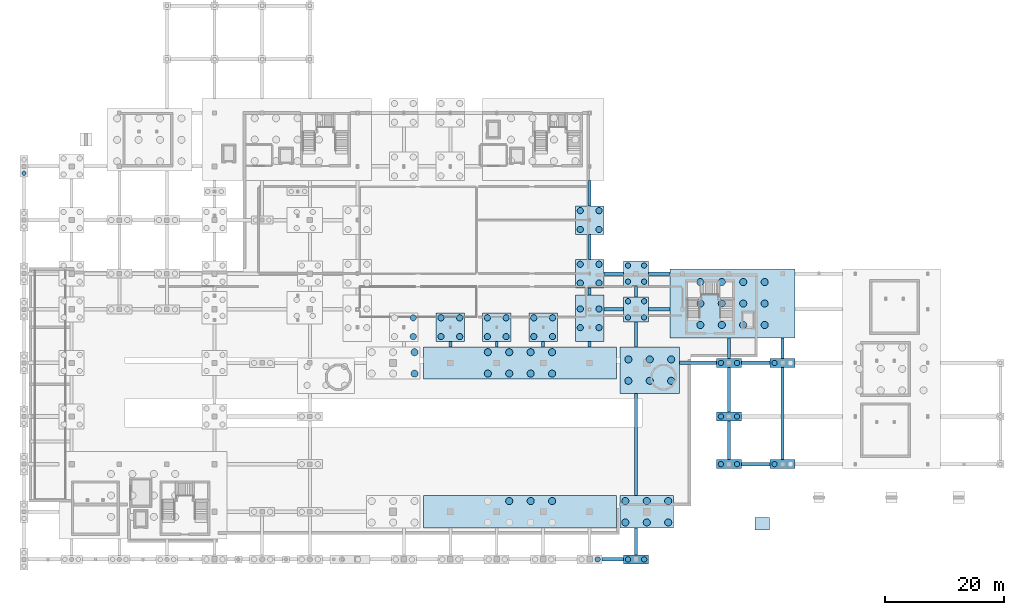
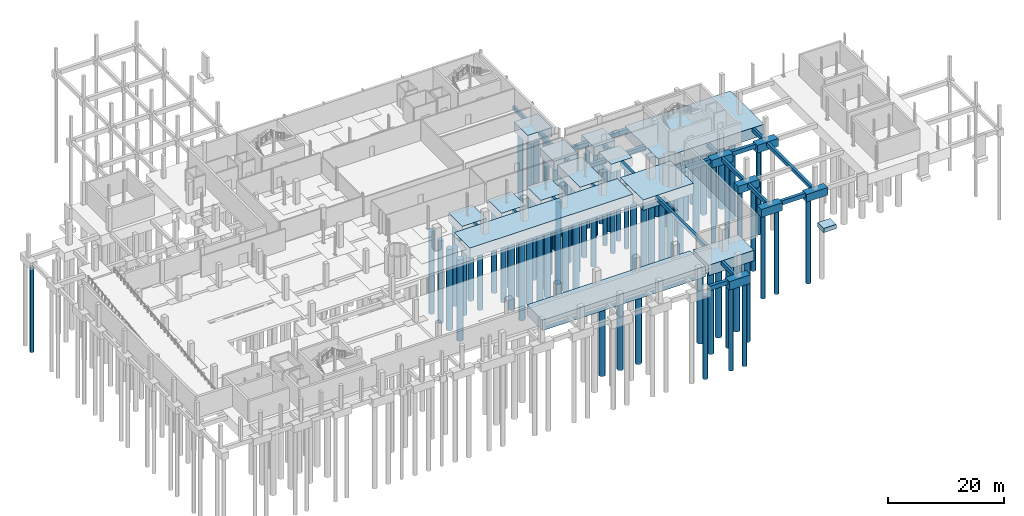
# One storey, part 4 of 32: 83 piles, 44 footings.
"""IFC4 building model written with IfcOpenShell, lengths in metres."""

from ifc_helpers import new_model, si_unit, derived_unit, direction, frame, origin, origin_2d, place, context, subcontext, project, spatial, rectangle, circle, extrude, material, material_profile, profile_set, type_object, element, save


model = new_model("IFC4")

# Units and contexts
model_context = context("Model", 3, precision=1e-05, world=origin(), true_north=direction((0.0, 1.0)))
body_context = subcontext(model_context, "Body", "Model", "MODEL_VIEW")
ifc_project = project(units=[si_unit("LENGTHUNIT", "METRE"), si_unit("AREAUNIT", "SQUARE_METRE"), si_unit("VOLUMEUNIT", "CUBIC_METRE"), si_unit("PLANEANGLEUNIT", "RADIAN"), si_unit("MASSUNIT", "GRAM", prefix="KILO"), derived_unit("THERMALTRANSMITTANCEUNIT", [(si_unit("POWERUNIT", "WATT"), 1), (si_unit("LENGTHUNIT", "METRE"), -2), (si_unit("THERMODYNAMICTEMPERATUREUNIT", "KELVIN"), -1)])], contexts=[model_context])

# Site, building, storey
site_placement = place(None, origin())
site = spatial("IfcSite", under=ifc_project, at=site_placement, CompositionType="ELEMENT")
building_placement = place(site_placement, origin())
building = spatial("IfcBuilding", under=site, at=building_placement, Name="Nallur Shell Playhouse", CompositionType="ELEMENT")
storey_placement = place(building_placement, frame((0.0, 0.0, -4.800048828125)))
storey = spatial("IfcBuildingStorey", under=building, at=storey_placement, Name="B1", CompositionType="ELEMENT", Elevation=-4.800048828125)

# Footings
ifc_material = material(Name="Concrete M35", Category="concrete")
footing_type_1 = type_object("IfcFootingType", Name="FT-PAD-06", PredefinedType="PAD_FOOTING", material=ifc_material)
footing_1_placement = place(storey_placement, frame((132.0, 14.0, -0.89990234375), z_axis=(0.0, 0.0, 1.0), x_axis=(1.0, 0.0, 0.0)))
element("IfcFooting", 1, at=footing_1_placement, inside=storey, type_object=footing_type_1, Name="Ramp & forecourt pad footing PF-06", PredefinedType="PAD_FOOTING", context=body_context, shape_type="SweptSolid", body=[
    extrude(rectangle(XDim=2.5, YDim=2.10009765625, at=origin_2d()), origin(), (0.0, 0.0, 1.0), 0.89990234375),
])
footing_type_2 = type_object("IfcFootingType", Name="FT-PC-1000x780x220", PredefinedType="PILE_CAP", material=ifc_material)
footing_2_placement = place(storey_placement, frame((113.10009765625, 39.800048828125, -2.19970703125), z_axis=(0.0, 0.0, 1.0), x_axis=(1.0, 0.0, 0.0)))
element("IfcFooting", 2, at=footing_2_placement, inside=storey, type_object=footing_type_2, Name="Pile cap PC-103", PredefinedType="PILE_CAP", context=body_context, shape_type="SweptSolid", body=[
    extrude(rectangle(XDim=10.0, YDim=7.800048828125, at=origin_2d()), origin(), (0.0, 0.0, 1.0), 2.199951171875),
])
footing_type_3 = type_object("IfcFootingType", Name="FT-PC-2100x1155x225", PredefinedType="PILE_CAP", material=ifc_material)
footing_3_placement = place(storey_placement, frame((127.0, 50.97509765625, -2.25), z_axis=(0.0, 0.0, 1.0), x_axis=(1.0, 0.0, 0.0)))
element("IfcFooting", 3, at=footing_3_placement, inside=storey, type_object=footing_type_3, Name="Pile cap PC-080", PredefinedType="PILE_CAP", context=body_context, shape_type="SweptSolid", body=[
    extrude(rectangle(XDim=21.0, YDim=11.550048828125, at=origin_2d()), origin(), (0.0, 0.0, 1.0), 2.25),
])
footing_type_4 = type_object("IfcFootingType", Name="FT-PC-3240x540x220", PredefinedType="PILE_CAP", material=ifc_material)
for number, where, z_axis, x_axis, name in (
    (4, (91.300048828125, 16.0, -2.19970703125), (0.0, 0.0, 1.0), (1.0, 0.0, 0.0), "Pile cap PC-100"),
    (5, (91.300048828125, 41.0, -2.19970703125), (0.0, 0.0, 1.0), (1.0, 0.0, 0.0), "Pile cap PC-101"),
):
    element("IfcFooting", number, at=place(storey_placement, frame(where, z_axis=z_axis, x_axis=x_axis)), inside=storey, type_object=footing_type_4, Name=name, PredefinedType="PILE_CAP", context=body_context, shape_type="SweptSolid", body=[
        extrude(rectangle(XDim=32.39990234375, YDim=5.39990234375, at=origin_2d()), origin(), (0.0, 0.0, 1.0), 2.199951171875),
    ])
footing_type_5 = type_object("IfcFootingType", Name="FT-PC-420x150x160", PredefinedType="PILE_CAP", material=ifc_material)
for number, where, z_axis, x_axis, name in (
    (6, (126.39990234375, 32.0, -1.60009765625), (0.0, 0.0, 1.0), (1.0, 0.0, 0.0), "Pile cap PC-082"),
    (7, (135.39990234375, 24.0, -1.60009765625), (0.0, 0.0, 1.0), (1.0, 0.0, 0.0), "Pile cap PC-084"),
):
    element("IfcFooting", number, at=place(storey_placement, frame(where, z_axis=z_axis, x_axis=x_axis)), inside=storey, type_object=footing_type_5, Name=name, PredefinedType="PILE_CAP", context=body_context, shape_type="SweptSolid", body=[
        extrude(rectangle(XDim=4.199951171875, YDim=1.5, at=origin_2d()), origin(), (0.0, 0.0, 1.0), 1.60009765625),
    ])
footing_type_6 = type_object("IfcFootingType", Name="FT-PC-420x150x165", PredefinedType="PILE_CAP", material=ifc_material)
for number, where, z_axis, x_axis, name in (
    (8, (126.39990234375, 41.0, -1.64990234375), (0.0, 0.0, 1.0), (1.0, 0.0, 0.0), "Pile cap PC-083"),
    (9, (135.39990234375, 41.0, -1.64990234375), (0.0, 0.0, 1.0), (1.0, 0.0, 0.0), "Pile cap PC-085"),
):
    element("IfcFooting", number, at=place(storey_placement, frame(where, z_axis=z_axis, x_axis=x_axis)), inside=storey, type_object=footing_type_6, Name=name, PredefinedType="PILE_CAP", context=body_context, shape_type="SweptSolid", body=[
        extrude(rectangle(XDim=4.199951171875, YDim=1.5, at=origin_2d()), origin(), (0.0, 0.0, 1.0), 1.64990234375),
    ])
footing_type_7 = type_object("IfcFootingType", Name="FT-PC-420x150x170", PredefinedType="PILE_CAP", material=ifc_material)
footing_4_placement = place(storey_placement, frame((126.39990234375, 24.0, -1.69970703125), z_axis=(0.0, 0.0, 1.0), x_axis=(1.0, 0.0, 0.0)))
element("IfcFooting", 10, at=footing_4_placement, inside=storey, type_object=footing_type_7, Name="Pile cap PC-081", PredefinedType="PILE_CAP", context=body_context, shape_type="SweptSolid", body=[
    extrude(rectangle(XDim=4.199951171875, YDim=1.5, at=origin_2d()), origin(), (0.0, 0.0, 1.0), 1.699951171875),
])
footing_type_8 = type_object("IfcFootingType", Name="FT-PC-420x150x180", PredefinedType="PILE_CAP", material=ifc_material)
footing_5_placement = place(storey_placement, frame((110.800048828125, 8.0, -1.7998046875), z_axis=(0.0, 0.0, 1.0), x_axis=(1.0, 0.0, 0.0)))
element("IfcFooting", 11, at=footing_5_placement, inside=storey, type_object=footing_type_8, Name="Pile cap PC-077", PredefinedType="PILE_CAP", context=body_context, shape_type="SweptSolid", body=[
    extrude(rectangle(XDim=4.199951171875, YDim=1.5, at=origin_2d()), origin(), (0.0, 0.0, 1.0), 1.800048828125),
])
footing_type_9 = type_object("IfcFootingType", Name="FT-PC-420x420x180", PredefinedType="PILE_CAP", material=ifc_material)
footing_6_placement = place(storey_placement, frame((110.800048828125, 50.0, -1.7998046875), z_axis=(0.0, 0.0, 1.0), x_axis=(1.0, 0.0, 0.0)))
element("IfcFooting", 12, at=footing_6_placement, inside=storey, type_object=footing_type_9, Name="Pile cap PC-078", PredefinedType="PILE_CAP", context=body_context, shape_type="SweptSolid", body=[
    extrude(rectangle(XDim=4.199951171875, YDim=4.199951171875, at=origin_2d()), origin(), (0.0, 0.0, 1.0), 1.800048828125),
])
footing_type_10 = type_object("IfcFootingType", Name="FT-PC-420x420x185", PredefinedType="PILE_CAP", material=ifc_material)
footing_7_placement = place(storey_placement, frame((110.800048828125, 56.0, -1.85009765625), z_axis=(0.0, 0.0, 1.0), x_axis=(1.0, 0.0, 0.0)))
element("IfcFooting", 13, at=footing_7_placement, inside=storey, type_object=footing_type_10, Name="Pile cap PC-079", PredefinedType="PILE_CAP", context=body_context, shape_type="SweptSolid", body=[
    extrude(rectangle(XDim=4.199951171875, YDim=4.199951171875, at=origin_2d()), origin(), (0.0, 0.0, 1.0), 1.85009765625),
])
footing_type_11 = type_object("IfcFootingType", Name="FT-PC-480x480x195", PredefinedType="PILE_CAP", material=ifc_material)
for number, where, z_axis, x_axis, name in (
    (14, (103.0, 56.0, -1.94970703125), (0.0, 0.0, 1.0), (1.0, 0.0, 0.0), "Pile cap PC-075"),
    (15, (103.0, 65.0, -1.94970703125), (0.0, 0.0, 1.0), (1.0, 0.0, 0.0), "Pile cap PC-076"),
    (16, (79.60009765625, 47.0, -1.94970703125), (0.0, 0.0, 1.0), (1.0, 0.0, 0.0), "Pile cap PC-095"),
    (17, (87.39990234375, 47.0, -1.94970703125), (0.0, 0.0, 1.0), (1.0, 0.0, 0.0), "Pile cap PC-096"),
    (18, (95.199951171875, 47.0, -1.94970703125), (0.0, 0.0, 1.0), (1.0, 0.0, 0.0), "Pile cap PC-097"),
):
    element("IfcFooting", number, at=place(storey_placement, frame(where, z_axis=z_axis, x_axis=x_axis)), inside=storey, type_object=footing_type_11, Name=name, PredefinedType="PILE_CAP", context=body_context, shape_type="SweptSolid", body=[
        extrude(rectangle(XDim=4.800048828125, YDim=4.800048828125, at=origin_2d()), origin(), (0.0, 0.0, 1.0), 1.949951171875),
    ])
footing_type_12 = type_object("IfcFootingType", Name="FT-PC-480x780x195", PredefinedType="PILE_CAP", material=ifc_material)
footing_8_placement = place(storey_placement, frame((103.0, 48.5, -1.94970703125), z_axis=(0.0, 0.0, 1.0), x_axis=(1.0, 0.0, 0.0)))
element("IfcFooting", 19, at=footing_8_placement, inside=storey, type_object=footing_type_12, Name="Pile cap PC-074", PredefinedType="PILE_CAP", context=body_context, shape_type="SweptSolid", body=[
    extrude(rectangle(XDim=4.800048828125, YDim=7.800048828125, at=origin_2d()), origin(), (0.0, 0.0, 1.0), 1.949951171875),
])
footing_type_13 = type_object("IfcFootingType", Name="FT-PC-900x540x220", PredefinedType="PILE_CAP", material=ifc_material)
footing_9_placement = place(storey_placement, frame((112.60009765625, 16.0, -2.19970703125), z_axis=(0.0, 0.0, 1.0), x_axis=(1.0, 0.0, 0.0)))
element("IfcFooting", 20, at=footing_9_placement, inside=storey, type_object=footing_type_13, Name="Pile cap PC-102", PredefinedType="PILE_CAP", context=body_context, shape_type="SweptSolid", body=[
    extrude(rectangle(XDim=9.0, YDim=5.39990234375, at=origin_2d()), origin(), (0.0, 0.0, 1.0), 2.199951171875),
])
ifc_material_profile_1 = material_profile(ifc_material, rectangle(XDim=0.5, YDim=0.800048828125, at=origin_2d()), Name="RC 500x800")
ifc_profile_set_1 = profile_set([ifc_material_profile_1], Name="Concrete M35")
footing_type_14 = type_object("IfcFootingType", Name="FT-TB-500x800", PredefinedType="FOOTING_BEAM", material=ifc_profile_set_1)
for number, where, z_axis, x_axis, name in (
    (21, (79.60009765625, 43.699951171875, -0.39990234375), (0.0, 1.0, 0.0), (-1.0, 0.0, 0.0), "Ground tie beam TB-Y-144"),
    (22, (87.39990234375, 43.699951171875, -0.39990234375), (0.0, 1.0, 0.0), (-1.0, 0.0, 0.0), "Ground tie beam TB-Y-147"),
    (23, (95.199951171875, 43.699951171875, -0.39990234375), (0.0, 1.0, 0.0), (-1.0, 0.0, 0.0), "Ground tie beam TB-Y-149"),
    (24, (103.0, 43.699951171875, -0.39990234375), (0.0, 1.0, 0.0), (-1.0, 0.0, 0.0), "Ground tie beam TB-Y-151"),
):
    element("IfcFooting", number, at=place(storey_placement, frame(where, z_axis=z_axis, x_axis=x_axis)), inside=storey, type_object=footing_type_14, Name=name, PredefinedType="FOOTING_BEAM", context=body_context, shape_type="SweptSolid", body=[
        extrude(rectangle(XDim=0.5, YDim=0.800048828125, at=origin_2d()), origin(), (0.0, 0.0, 1.0), 0.900146484375),
    ])
footing_10_placement = place(storey_placement, frame((103.0, 52.39990234375, -0.39990234375), z_axis=(0.0, 1.0, 0.0), x_axis=(-1.0, 0.0, 0.0)))
element("IfcFooting", 25, at=footing_10_placement, inside=storey, type_object=footing_type_14, Name="Ground tie beam TB-Y-152", PredefinedType="FOOTING_BEAM", context=body_context, shape_type="SweptSolid", body=[
    extrude(rectangle(XDim=0.5, YDim=0.800048828125, at=origin_2d()), origin(), (0.0, 0.0, 1.0), 1.2001953125),
])
for number, where, z_axis, x_axis, name in (
    (26, (103.0, 58.39990234375, -0.39990234375), (0.0, 1.0, 0.0), (-1.0, 0.0, 0.0), "Ground tie beam TB-Y-153"),
    (27, (103.0, 67.39990234375, -0.39990234375), (0.0, 1.0, 0.0), (-1.0, 0.0, 0.0), "Ground tie beam TB-Y-154"),
):
    element("IfcFooting", number, at=place(storey_placement, frame(where, z_axis=z_axis, x_axis=x_axis)), inside=storey, type_object=footing_type_14, Name=name, PredefinedType="FOOTING_BEAM", context=body_context, shape_type="SweptSolid", body=[
        extrude(rectangle(XDim=0.5, YDim=0.800048828125, at=origin_2d()), origin(), (0.0, 0.0, 1.0), 4.2001953125),
    ])
footing_11_placement = place(storey_placement, frame((110.800048828125, 8.75, -0.39990234375), z_axis=(0.0, 1.0, 0.0), x_axis=(-1.0, 0.0, 0.0)))
element("IfcFooting", 28, at=footing_11_placement, inside=storey, type_object=footing_type_14, Name="Ground tie beam TB-Y-155", PredefinedType="FOOTING_BEAM", context=body_context, shape_type="SweptSolid", body=[
    extrude(rectangle(XDim=0.5, YDim=0.800048828125, at=origin_2d()), origin(), (0.0, 0.0, 1.0), 4.550048828125),
])
footing_12_placement = place(storey_placement, frame((110.800048828125, 18.699951171875, -0.39990234375), z_axis=(0.0, 1.0, 0.0), x_axis=(-1.0, 0.0, 0.0)))
element("IfcFooting", 29, at=footing_12_placement, inside=storey, type_object=footing_type_14, Name="Ground tie beam TB-Y-156", PredefinedType="FOOTING_BEAM", context=body_context, shape_type="SweptSolid", body=[
    extrude(rectangle(XDim=0.5, YDim=0.800048828125, at=origin_2d()), origin(), (0.0, 0.0, 1.0), 17.199951171875),
])
footing_13_placement = place(storey_placement, frame((110.800048828125, 43.699951171875, -0.39990234375), z_axis=(0.0, 1.0, 0.0), x_axis=(-1.0, 0.0, 0.0)))
element("IfcFooting", 30, at=footing_13_placement, inside=storey, type_object=footing_type_14, Name="Ground tie beam TB-Y-157", PredefinedType="FOOTING_BEAM", context=body_context, shape_type="SweptSolid", body=[
    extrude(rectangle(XDim=0.5, YDim=0.800048828125, at=origin_2d()), origin(), (0.0, 0.0, 1.0), 4.199951171875),
])
footing_14_placement = place(storey_placement, frame((110.800048828125, 52.10009765625, -0.39990234375), z_axis=(0.0, 1.0, 0.0), x_axis=(-1.0, 0.0, 0.0)))
element("IfcFooting", 31, at=footing_14_placement, inside=storey, type_object=footing_type_14, Name="Ground tie beam TB-Y-158", PredefinedType="FOOTING_BEAM", context=body_context, shape_type="SweptSolid", body=[
    extrude(rectangle(XDim=0.5, YDim=0.800048828125, at=origin_2d()), origin(), (0.0, 0.0, 1.0), 1.7998046875),
])
footing_15_placement = place(storey_placement, frame((126.39990234375, 24.75, -0.39990234375), z_axis=(0.0, 1.0, 0.0), x_axis=(-1.0, 0.0, 0.0)))
element("IfcFooting", 32, at=footing_15_placement, inside=storey, type_object=footing_type_14, Name="Ground tie beam TB-Y-159", PredefinedType="FOOTING_BEAM", context=body_context, shape_type="SweptSolid", body=[
    extrude(rectangle(XDim=0.5, YDim=0.800048828125, at=origin_2d()), origin(), (0.0, 0.0, 1.0), 6.5),
])
footing_16_placement = place(storey_placement, frame((126.39990234375, 32.75, -0.39990234375), z_axis=(0.0, 1.0, 0.0), x_axis=(-1.0, 0.0, 0.0)))
element("IfcFooting", 33, at=footing_16_placement, inside=storey, type_object=footing_type_14, Name="Ground tie beam TB-Y-160", PredefinedType="FOOTING_BEAM", context=body_context, shape_type="SweptSolid", body=[
    extrude(rectangle(XDim=0.5, YDim=0.800048828125, at=origin_2d()), origin(), (0.0, 0.0, 1.0), 7.5),
])
footing_17_placement = place(storey_placement, frame((126.39990234375, 41.75, -0.39990234375), z_axis=(0.0, 1.0, 0.0), x_axis=(-1.0, 0.0, 0.0)))
element("IfcFooting", 34, at=footing_17_placement, inside=storey, type_object=footing_type_14, Name="Ground tie beam TB-Y-161", PredefinedType="FOOTING_BEAM", context=body_context, shape_type="SweptSolid", body=[
    extrude(rectangle(XDim=0.5, YDim=0.800048828125, at=origin_2d()), origin(), (0.0, 0.0, 1.0), 3.449951171875),
])
footing_18_placement = place(storey_placement, frame((135.39990234375, 24.75, -0.39990234375), z_axis=(0.0, 1.0, 0.0), x_axis=(-1.0, 0.0, 0.0)))
element("IfcFooting", 35, at=footing_18_placement, inside=storey, type_object=footing_type_14, Name="Ground tie beam TB-Y-162", PredefinedType="FOOTING_BEAM", context=body_context, shape_type="SweptSolid", body=[
    extrude(rectangle(XDim=0.5, YDim=0.800048828125, at=origin_2d()), origin(), (0.0, 0.0, 1.0), 15.5),
])
footing_19_placement = place(storey_placement, frame((135.39990234375, 41.75, -0.39990234375), z_axis=(0.0, 1.0, 0.0), x_axis=(-1.0, 0.0, 0.0)))
element("IfcFooting", 36, at=footing_19_placement, inside=storey, type_object=footing_type_14, Name="Ground tie beam TB-Y-163", PredefinedType="FOOTING_BEAM", context=body_context, shape_type="SweptSolid", body=[
    extrude(rectangle(XDim=0.5, YDim=0.800048828125, at=origin_2d()), origin(), (0.0, 0.0, 1.0), 3.449951171875),
])
ifc_material_profile_2 = material_profile(ifc_material, rectangle(XDim=0.60009765625, YDim=0.89990234375, at=origin_2d()), Name="RC 600x900")
ifc_profile_set_2 = profile_set([ifc_material_profile_2], Name="Concrete M35")
footing_type_15 = type_object("IfcFootingType", Name="FT-TB-600x900", PredefinedType="FOOTING_BEAM", material=ifc_profile_set_2)
footing_20_placement = place(storey_placement, frame((105.10009765625, 8.0, -0.449951171875), z_axis=(1.0, 0.0, 0.0), x_axis=(0.0, 1.0, 0.0)))
element("IfcFooting", 37, at=footing_20_placement, inside=storey, type_object=footing_type_15, Name="Ground tie beam TB-X-015", PredefinedType="FOOTING_BEAM", context=body_context, shape_type="SweptSolid", body=[
    extrude(rectangle(XDim=0.60009765625, YDim=0.89990234375, at=origin_2d()), origin(), (0.0, 0.0, 1.0), 3.599853515625),
])
footing_21_placement = place(storey_placement, frame((128.5, 24.0, -0.449951171875), z_axis=(1.0, 0.0, 0.0), x_axis=(0.0, 1.0, 0.0)))
element("IfcFooting", 38, at=footing_21_placement, inside=storey, type_object=footing_type_15, Name="Ground tie beam TB-X-022", PredefinedType="FOOTING_BEAM", context=body_context, shape_type="SweptSolid", body=[
    extrude(rectangle(XDim=0.60009765625, YDim=0.89990234375, at=origin_2d()), origin(), (0.0, 0.0, 1.0), 4.800048828125),
])
footing_22_placement = place(storey_placement, frame((118.10009765625, 41.0, -0.449951171875), z_axis=(1.0, 0.0, 0.0), x_axis=(0.0, 1.0, 0.0)))
element("IfcFooting", 39, at=footing_22_placement, inside=storey, type_object=footing_type_15, Name="Ground tie beam TB-X-033", PredefinedType="FOOTING_BEAM", context=body_context, shape_type="SweptSolid", body=[
    extrude(rectangle(XDim=0.60009765625, YDim=0.89990234375, at=origin_2d()), origin(), (0.0, 0.0, 1.0), 6.199951171875),
])
footing_23_placement = place(storey_placement, frame((128.5, 41.0, -0.449951171875), z_axis=(1.0, 0.0, 0.0), x_axis=(0.0, 1.0, 0.0)))
element("IfcFooting", 40, at=footing_23_placement, inside=storey, type_object=footing_type_15, Name="Ground tie beam TB-X-034", PredefinedType="FOOTING_BEAM", context=body_context, shape_type="SweptSolid", body=[
    extrude(rectangle(XDim=0.60009765625, YDim=0.89990234375, at=origin_2d()), origin(), (0.0, 0.0, 1.0), 4.800048828125),
])
footing_24_placement = place(storey_placement, frame((105.39990234375, 50.0, -0.449951171875), z_axis=(1.0, 0.0, 0.0), x_axis=(0.0, 1.0, 0.0)))
element("IfcFooting", 41, at=footing_24_placement, inside=storey, type_object=footing_type_15, Name="Ground tie beam TB-X-043", PredefinedType="FOOTING_BEAM", context=body_context, shape_type="SweptSolid", body=[
    extrude(rectangle(XDim=0.60009765625, YDim=0.89990234375, at=origin_2d()), origin(), (0.0, 0.0, 1.0), 3.300048828125),
])
footing_25_placement = place(storey_placement, frame((112.89990234375, 50.0, -0.449951171875), z_axis=(1.0, 0.0, 0.0), x_axis=(0.0, 1.0, 0.0)))
element("IfcFooting", 42, at=footing_25_placement, inside=storey, type_object=footing_type_15, Name="Ground tie beam TB-X-044", PredefinedType="FOOTING_BEAM", context=body_context, shape_type="SweptSolid", body=[
    extrude(rectangle(XDim=0.60009765625, YDim=0.89990234375, at=origin_2d()), origin(), (0.0, 0.0, 1.0), 3.60009765625),
])
footing_26_placement = place(storey_placement, frame((105.39990234375, 56.0, -0.449951171875), z_axis=(1.0, 0.0, 0.0), x_axis=(0.0, 1.0, 0.0)))
element("IfcFooting", 43, at=footing_26_placement, inside=storey, type_object=footing_type_15, Name="Ground tie beam TB-X-052", PredefinedType="FOOTING_BEAM", context=body_context, shape_type="SweptSolid", body=[
    extrude(rectangle(XDim=0.60009765625, YDim=0.89990234375, at=origin_2d()), origin(), (0.0, 0.0, 1.0), 3.300048828125),
])
footing_27_placement = place(storey_placement, frame((112.89990234375, 56.0, -0.449951171875), z_axis=(1.0, 0.0, 0.0), x_axis=(0.0, 1.0, 0.0)))
element("IfcFooting", 44, at=footing_27_placement, inside=storey, type_object=footing_type_15, Name="Ground tie beam TB-X-053", PredefinedType="FOOTING_BEAM", context=body_context, shape_type="SweptSolid", body=[
    extrude(rectangle(XDim=0.60009765625, YDim=0.89990234375, at=origin_2d()), origin(), (0.0, 0.0, 1.0), 3.60009765625),
])

# Piles
ifc_material_profile_3 = material_profile(ifc_material, circle(Radius=0.52490234375, at=origin_2d()), Name="BORED PILE D1050")
ifc_profile_set_3 = profile_set([ifc_material_profile_3], Name="Concrete M35")
pile_type_1 = type_object("IfcPileType", Name="PL-D1050", PredefinedType="BORED", material=ifc_profile_set_3)
for number, where, z_axis, x_axis, name in (
    (45, (101.425048828125, 46.925048828125, -1.849853515625), (0.0, 0.0, -1.0), (1.0, 0.0, 0.0), "Bored pile BP-219"),
    (46, (101.425048828125, 50.074951171875, -1.849853515625), (0.0, 0.0, -1.0), (1.0, 0.0, 0.0), "Bored pile BP-220"),
    (47, (104.574951171875, 46.925048828125, -1.849853515625), (0.0, 0.0, -1.0), (1.0, 0.0, 0.0), "Bored pile BP-221"),
    (48, (104.574951171875, 50.074951171875, -1.849853515625), (0.0, 0.0, -1.0), (1.0, 0.0, 0.0), "Bored pile BP-222"),
    (49, (101.425048828125, 54.425048828125, -1.849853515625), (0.0, 0.0, -1.0), (1.0, 0.0, 0.0), "Bored pile BP-223"),
    (50, (101.425048828125, 57.574951171875, -1.849853515625), (0.0, 0.0, -1.0), (1.0, 0.0, 0.0), "Bored pile BP-224"),
    (51, (104.574951171875, 54.425048828125, -1.849853515625), (0.0, 0.0, -1.0), (1.0, 0.0, 0.0), "Bored pile BP-225"),
    (52, (104.574951171875, 57.574951171875, -1.849853515625), (0.0, 0.0, -1.0), (1.0, 0.0, 0.0), "Bored pile BP-226"),
    (53, (101.425048828125, 63.425048828125, -1.849853515625), (0.0, 0.0, -1.0), (1.0, 0.0, 0.0), "Bored pile BP-227"),
    (54, (101.425048828125, 66.574951171875, -1.849853515625), (0.0, 0.0, -1.0), (1.0, 0.0, 0.0), "Bored pile BP-228"),
    (55, (104.574951171875, 63.425048828125, -1.849853515625), (0.0, 0.0, -1.0), (1.0, 0.0, 0.0), "Bored pile BP-229"),
    (56, (104.574951171875, 66.574951171875, -1.849853515625), (0.0, 0.0, -1.0), (1.0, 0.0, 0.0), "Bored pile BP-230"),
    (57, (73.375, 45.425048828125, -1.849853515625), (0.0, 0.0, -1.0), (1.0, 0.0, 0.0), "Bored pile BP-286"),
    (58, (73.375, 48.574951171875, -1.849853515625), (0.0, 0.0, -1.0), (1.0, 0.0, 0.0), "Bored pile BP-287"),
    (59, (78.02490234375, 45.425048828125, -1.849853515625), (0.0, 0.0, -1.0), (1.0, 0.0, 0.0), "Bored pile BP-288"),
    (60, (78.02490234375, 48.574951171875, -1.849853515625), (0.0, 0.0, -1.0), (1.0, 0.0, 0.0), "Bored pile BP-289"),
    (61, (81.175048828125, 45.425048828125, -1.849853515625), (0.0, 0.0, -1.0), (1.0, 0.0, 0.0), "Bored pile BP-290"),
    (62, (81.175048828125, 48.574951171875, -1.849853515625), (0.0, 0.0, -1.0), (1.0, 0.0, 0.0), "Bored pile BP-291"),
    (63, (85.824951171875, 45.425048828125, -1.849853515625), (0.0, 0.0, -1.0), (1.0, 0.0, 0.0), "Bored pile BP-292"),
    (64, (85.824951171875, 48.574951171875, -1.849853515625), (0.0, 0.0, -1.0), (1.0, 0.0, 0.0), "Bored pile BP-293"),
    (65, (88.97509765625, 45.425048828125, -1.849853515625), (0.0, 0.0, -1.0), (1.0, 0.0, 0.0), "Bored pile BP-294"),
    (66, (88.97509765625, 48.574951171875, -1.849853515625), (0.0, 0.0, -1.0), (1.0, 0.0, 0.0), "Bored pile BP-295"),
    (67, (93.625, 45.425048828125, -1.849853515625), (0.0, 0.0, -1.0), (1.0, 0.0, 0.0), "Bored pile BP-296"),
    (68, (93.625, 48.574951171875, -1.849853515625), (0.0, 0.0, -1.0), (1.0, 0.0, 0.0), "Bored pile BP-297"),
    (69, (96.77490234375, 45.425048828125, -1.849853515625), (0.0, 0.0, -1.0), (1.0, 0.0, 0.0), "Bored pile BP-298"),
    (70, (96.77490234375, 48.574951171875, -1.849853515625), (0.0, 0.0, -1.0), (1.0, 0.0, 0.0), "Bored pile BP-299"),
):
    element("IfcPile", number, at=place(storey_placement, frame(where, z_axis=z_axis, x_axis=x_axis)), inside=storey, type_object=pile_type_1, Name=name, PredefinedType="BORED", context=body_context, shape_type="SweptSolid", body=[
        extrude(circle(Radius=0.52490234375, at=origin_2d()), origin(), (0.0, 0.0, 1.0), 17.35009765625),
    ])
ifc_material_profile_4 = material_profile(ifc_material, circle(Radius=0.60009765625, at=origin_2d()), Name="BORED PILE D1200")
ifc_profile_set_4 = profile_set([ifc_material_profile_4], Name="Concrete M35")
pile_type_2 = type_object("IfcPileType", Name="PL-D1200", PredefinedType="BORED", material=ifc_profile_set_4)
for number, where, z_axis, x_axis, name in (
    (71, (121.60009765625, 47.375, -2.14990234375), (0.0, 0.0, -1.0), (1.0, 0.0, 0.0), "Bored pile BP-241"),
    (72, (121.60009765625, 50.97509765625, -2.14990234375), (0.0, 0.0, -1.0), (1.0, 0.0, 0.0), "Bored pile BP-242"),
    (73, (121.60009765625, 54.574951171875, -2.14990234375), (0.0, 0.0, -1.0), (1.0, 0.0, 0.0), "Bored pile BP-243"),
    (74, (125.199951171875, 47.375, -2.14990234375), (0.0, 0.0, -1.0), (1.0, 0.0, 0.0), "Bored pile BP-244"),
    (75, (125.199951171875, 50.97509765625, -2.14990234375), (0.0, 0.0, -1.0), (1.0, 0.0, 0.0), "Bored pile BP-245"),
    (76, (125.199951171875, 54.574951171875, -2.14990234375), (0.0, 0.0, -1.0), (1.0, 0.0, 0.0), "Bored pile BP-246"),
    (77, (128.800048828125, 47.375, -2.14990234375), (0.0, 0.0, -1.0), (1.0, 0.0, 0.0), "Bored pile BP-247"),
    (78, (128.800048828125, 50.97509765625, -2.14990234375), (0.0, 0.0, -1.0), (1.0, 0.0, 0.0), "Bored pile BP-248"),
    (79, (128.800048828125, 54.574951171875, -2.14990234375), (0.0, 0.0, -1.0), (1.0, 0.0, 0.0), "Bored pile BP-249"),
    (80, (132.39990234375, 47.375, -2.14990234375), (0.0, 0.0, -1.0), (1.0, 0.0, 0.0), "Bored pile BP-250"),
    (81, (132.39990234375, 50.97509765625, -2.14990234375), (0.0, 0.0, -1.0), (1.0, 0.0, 0.0), "Bored pile BP-251"),
    (82, (132.39990234375, 54.574951171875, -2.14990234375), (0.0, 0.0, -1.0), (1.0, 0.0, 0.0), "Bored pile BP-252"),
):
    element("IfcPile", number, at=place(storey_placement, frame(where, z_axis=z_axis, x_axis=x_axis)), inside=storey, type_object=pile_type_2, Name=name, PredefinedType="BORED", context=body_context, shape_type="SweptSolid", body=[
        extrude(circle(Radius=0.60009765625, at=origin_2d()), origin(), (0.0, 0.0, 1.0), 17.050048828125),
    ])
for number, where, z_axis, x_axis, name in (
    (83, (73.60009765625, 39.199951171875, -2.099853515625), (0.0, 0.0, -1.0), (1.0, 0.0, 0.0), "Bored pile BP-310"),
    (84, (73.60009765625, 42.800048828125, -2.099853515625), (0.0, 0.0, -1.0), (1.0, 0.0, 0.0), "Bored pile BP-311"),
    (85, (89.5, 17.800048828125, -2.099853515625), (0.0, 0.0, -1.0), (1.0, 0.0, 0.0), "Bored pile BP-315"),
    (86, (93.10009765625, 17.800048828125, -2.099853515625), (0.0, 0.0, -1.0), (1.0, 0.0, 0.0), "Bored pile BP-317"),
    (87, (96.699951171875, 17.800048828125, -2.099853515625), (0.0, 0.0, -1.0), (1.0, 0.0, 0.0), "Bored pile BP-319"),
    (88, (85.89990234375, 39.199951171875, -2.099853515625), (0.0, 0.0, -1.0), (1.0, 0.0, 0.0), "Bored pile BP-320"),
    (89, (85.89990234375, 42.800048828125, -2.099853515625), (0.0, 0.0, -1.0), (1.0, 0.0, 0.0), "Bored pile BP-321"),
    (90, (89.5, 39.199951171875, -2.099853515625), (0.0, 0.0, -1.0), (1.0, 0.0, 0.0), "Bored pile BP-322"),
    (91, (89.5, 42.800048828125, -2.099853515625), (0.0, 0.0, -1.0), (1.0, 0.0, 0.0), "Bored pile BP-323"),
    (92, (93.10009765625, 39.199951171875, -2.099853515625), (0.0, 0.0, -1.0), (1.0, 0.0, 0.0), "Bored pile BP-324"),
    (93, (93.10009765625, 42.800048828125, -2.099853515625), (0.0, 0.0, -1.0), (1.0, 0.0, 0.0), "Bored pile BP-325"),
    (94, (96.699951171875, 39.199951171875, -2.099853515625), (0.0, 0.0, -1.0), (1.0, 0.0, 0.0), "Bored pile BP-326"),
    (95, (96.699951171875, 42.800048828125, -2.099853515625), (0.0, 0.0, -1.0), (1.0, 0.0, 0.0), "Bored pile BP-327"),
    (96, (109.0, 14.199951171875, -2.099853515625), (0.0, 0.0, -1.0), (1.0, 0.0, 0.0), "Bored pile BP-328"),
    (97, (109.0, 17.800048828125, -2.099853515625), (0.0, 0.0, -1.0), (1.0, 0.0, 0.0), "Bored pile BP-329"),
    (98, (112.60009765625, 14.199951171875, -2.099853515625), (0.0, 0.0, -1.0), (1.0, 0.0, 0.0), "Bored pile BP-330"),
    (99, (112.60009765625, 17.800048828125, -2.099853515625), (0.0, 0.0, -1.0), (1.0, 0.0, 0.0), "Bored pile BP-331"),
    (100, (116.199951171875, 14.199951171875, -2.099853515625), (0.0, 0.0, -1.0), (1.0, 0.0, 0.0), "Bored pile BP-332"),
    (101, (116.199951171875, 17.800048828125, -2.099853515625), (0.0, 0.0, -1.0), (1.0, 0.0, 0.0), "Bored pile BP-333"),
    (102, (109.5, 38.0, -2.099853515625), (0.0, 0.0, -1.0), (1.0, 0.0, 0.0), "Bored pile BP-334"),
    (103, (109.5, 41.60009765625, -2.099853515625), (0.0, 0.0, -1.0), (1.0, 0.0, 0.0), "Bored pile BP-335"),
    (104, (113.10009765625, 38.0, -2.099853515625), (0.0, 0.0, -1.0), (1.0, 0.0, 0.0), "Bored pile BP-336"),
    (105, (113.10009765625, 41.60009765625, -2.099853515625), (0.0, 0.0, -1.0), (1.0, 0.0, 0.0), "Bored pile BP-337"),
    (106, (116.699951171875, 38.0, -2.099853515625), (0.0, 0.0, -1.0), (1.0, 0.0, 0.0), "Bored pile BP-338"),
    (107, (116.699951171875, 41.60009765625, -2.099853515625), (0.0, 0.0, -1.0), (1.0, 0.0, 0.0), "Bored pile BP-339"),
):
    element("IfcPile", number, at=place(storey_placement, frame(where, z_axis=z_axis, x_axis=x_axis)), inside=storey, type_object=pile_type_2, Name=name, PredefinedType="BORED", context=body_context, shape_type="SweptSolid", body=[
        extrude(circle(Radius=0.60009765625, at=origin_2d()), origin(), (0.0, 0.0, 1.0), 17.10009765625),
    ])
ifc_material_profile_5 = material_profile(ifc_material, circle(Radius=0.375, at=origin_2d()), Name="BORED PILE D750")
ifc_profile_set_5 = profile_set([ifc_material_profile_5], Name="Concrete M35")
pile_type_3 = type_object("IfcPileType", Name="PL-D750", PredefinedType="BORED", material=ifc_profile_set_5)
pile_1_placement = place(storey_placement, frame((8.0, 72.875, -1.39990234375), z_axis=(0.0, 0.0, -1.0), x_axis=(1.0, 0.0, 0.0)))
element("IfcPile", 108, at=pile_1_placement, inside=storey, type_object=pile_type_3, Name="Bored pile BP-017", PredefinedType="BORED", context=body_context, shape_type="SweptSolid", body=[
    extrude(circle(Radius=0.375, at=origin_2d()), origin(), (0.0, 0.0, 1.0), 17.800048828125),
])
ifc_material_profile_6 = material_profile(ifc_material, circle(Radius=0.449951171875, at=origin_2d()), Name="BORED PILE D900")
ifc_profile_set_6 = profile_set([ifc_material_profile_6], Name="Concrete M35")
pile_type_4 = type_object("IfcPileType", Name="PL-D900", PredefinedType="BORED", material=ifc_profile_set_6)
for number, where, z_axis, x_axis, name in (
    (109, (104.35009765625, 8.0, -1.699951171875), (0.0, 0.0, -1.0), (1.0, 0.0, 0.0), "Bored pile BP-218"),
    (110, (109.449951171875, 8.0, -1.699951171875), (0.0, 0.0, -1.0), (1.0, 0.0, 0.0), "Bored pile BP-231"),
    (111, (112.14990234375, 8.0, -1.699951171875), (0.0, 0.0, -1.0), (1.0, 0.0, 0.0), "Bored pile BP-232"),
    (112, (109.449951171875, 48.64990234375, -1.699951171875), (0.0, 0.0, -1.0), (1.0, 0.0, 0.0), "Bored pile BP-233"),
    (113, (109.449951171875, 51.35009765625, -1.699951171875), (0.0, 0.0, -1.0), (1.0, 0.0, 0.0), "Bored pile BP-234"),
    (114, (112.14990234375, 48.64990234375, -1.699951171875), (0.0, 0.0, -1.0), (1.0, 0.0, 0.0), "Bored pile BP-235"),
    (115, (112.14990234375, 51.35009765625, -1.699951171875), (0.0, 0.0, -1.0), (1.0, 0.0, 0.0), "Bored pile BP-236"),
):
    element("IfcPile", number, at=place(storey_placement, frame(where, z_axis=z_axis, x_axis=x_axis)), inside=storey, type_object=pile_type_4, Name=name, PredefinedType="BORED", context=body_context, shape_type="SweptSolid", body=[
        extrude(circle(Radius=0.449951171875, at=origin_2d()), origin(), (0.0, 0.0, 1.0), 17.5),
    ])
for number, where, z_axis, x_axis, name in (
    (116, (109.449951171875, 54.64990234375, -1.75), (0.0, 0.0, -1.0), (1.0, 0.0, 0.0), "Bored pile BP-237"),
    (117, (109.449951171875, 57.35009765625, -1.75), (0.0, 0.0, -1.0), (1.0, 0.0, 0.0), "Bored pile BP-238"),
    (118, (112.14990234375, 54.64990234375, -1.75), (0.0, 0.0, -1.0), (1.0, 0.0, 0.0), "Bored pile BP-239"),
    (119, (112.14990234375, 57.35009765625, -1.75), (0.0, 0.0, -1.0), (1.0, 0.0, 0.0), "Bored pile BP-240"),
):
    element("IfcPile", number, at=place(storey_placement, frame(where, z_axis=z_axis, x_axis=x_axis)), inside=storey, type_object=pile_type_4, Name=name, PredefinedType="BORED", context=body_context, shape_type="SweptSolid", body=[
        extrude(circle(Radius=0.449951171875, at=origin_2d()), origin(), (0.0, 0.0, 1.0), 17.449951171875),
    ])
for number, where, z_axis, x_axis, name in (
    (120, (125.050048828125, 24.0, -1.599853515625), (0.0, 0.0, -1.0), (1.0, 0.0, 0.0), "Bored pile BP-253"),
    (121, (127.75, 24.0, -1.599853515625), (0.0, 0.0, -1.0), (1.0, 0.0, 0.0), "Bored pile BP-254"),
):
    element("IfcPile", number, at=place(storey_placement, frame(where, z_axis=z_axis, x_axis=x_axis)), inside=storey, type_object=pile_type_4, Name=name, PredefinedType="BORED", context=body_context, shape_type="SweptSolid", body=[
        extrude(circle(Radius=0.449951171875, at=origin_2d()), origin(), (0.0, 0.0, 1.0), 17.60009765625),
    ])
for number, where, z_axis, x_axis, name in (
    (122, (125.050048828125, 32.0, -1.5), (0.0, 0.0, -1.0), (1.0, 0.0, 0.0), "Bored pile BP-255"),
    (123, (127.75, 32.0, -1.5), (0.0, 0.0, -1.0), (1.0, 0.0, 0.0), "Bored pile BP-256"),
):
    element("IfcPile", number, at=place(storey_placement, frame(where, z_axis=z_axis, x_axis=x_axis)), inside=storey, type_object=pile_type_4, Name=name, PredefinedType="BORED", context=body_context, shape_type="SweptSolid", body=[
        extrude(circle(Radius=0.449951171875, at=origin_2d()), origin(), (0.0, 0.0, 1.0), 17.699951171875),
    ])
for number, where, z_axis, x_axis, name in (
    (124, (125.050048828125, 41.0, -1.550048828125), (0.0, 0.0, -1.0), (1.0, 0.0, 0.0), "Bored pile BP-257"),
    (125, (127.75, 41.0, -1.550048828125), (0.0, 0.0, -1.0), (1.0, 0.0, 0.0), "Bored pile BP-258"),
):
    element("IfcPile", number, at=place(storey_placement, frame(where, z_axis=z_axis, x_axis=x_axis)), inside=storey, type_object=pile_type_4, Name=name, PredefinedType="BORED", context=body_context, shape_type="SweptSolid", body=[
        extrude(circle(Radius=0.449951171875, at=origin_2d()), origin(), (0.0, 0.0, 1.0), 17.64990234375),
    ])
pile_2_placement = place(storey_placement, frame((134.050048828125, 24.0, -1.5), z_axis=(0.0, 0.0, -1.0), x_axis=(1.0, 0.0, 0.0)))
element("IfcPile", 126, at=pile_2_placement, inside=storey, type_object=pile_type_4, Name="Bored pile BP-259", PredefinedType="BORED", context=body_context, shape_type="SweptSolid", body=[
    extrude(circle(Radius=0.449951171875, at=origin_2d()), origin(), (0.0, 0.0, 1.0), 17.699951171875),
])
pile_3_placement = place(storey_placement, frame((134.050048828125, 41.0, -1.550048828125), z_axis=(0.0, 0.0, -1.0), x_axis=(1.0, 0.0, 0.0)))
element("IfcPile", 127, at=pile_3_placement, inside=storey, type_object=pile_type_4, Name="Bored pile BP-261", PredefinedType="BORED", context=body_context, shape_type="SweptSolid", body=[
    extrude(circle(Radius=0.449951171875, at=origin_2d()), origin(), (0.0, 0.0, 1.0), 17.64990234375),
])

save(model, "model.ifc")
